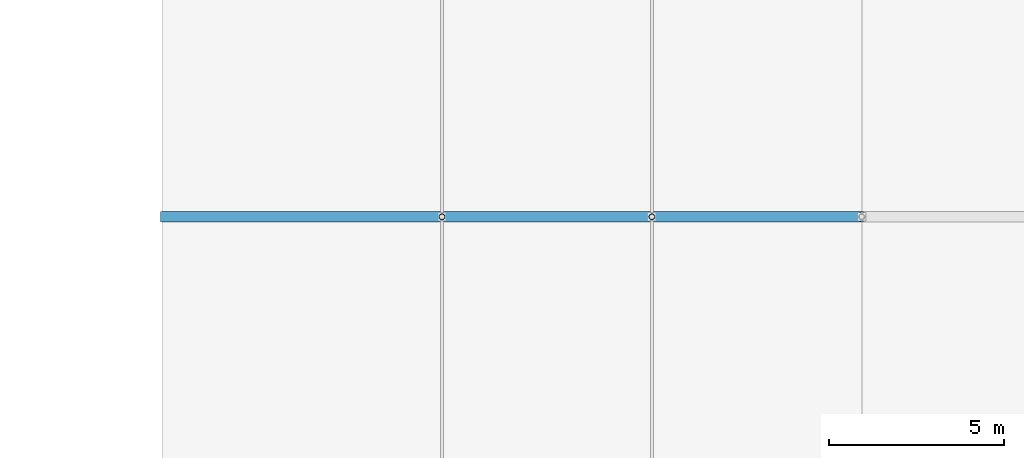
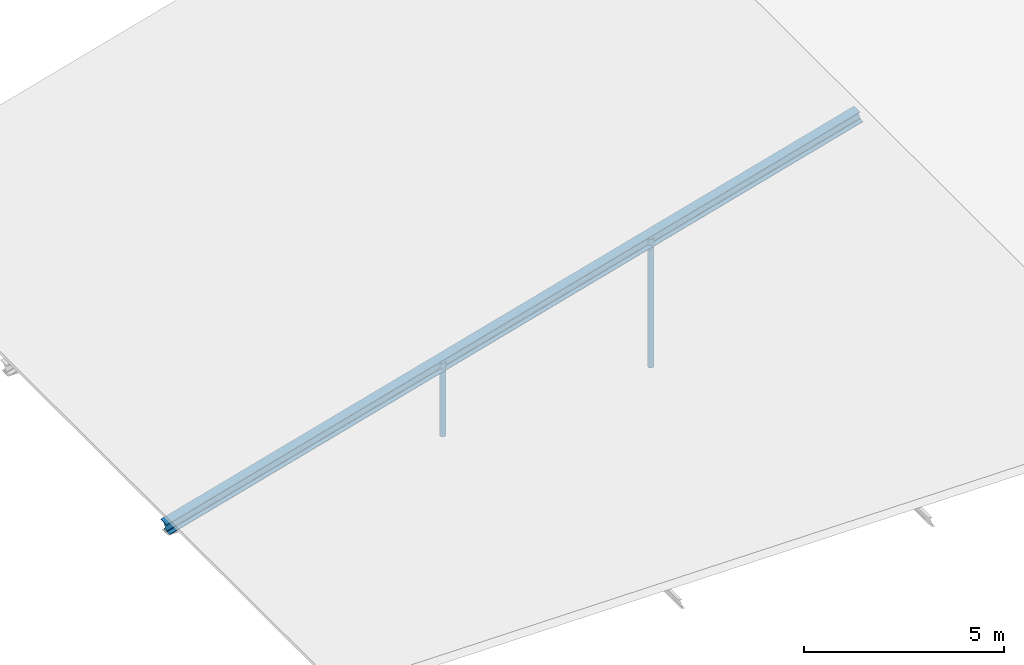
# One storey, part 18 of 49: 3 members.
"""IFC4 building model written with IfcOpenShell, lengths in metres."""

from ifc_helpers import new_model, si_unit, direction, frame, origin, origin_2d, place, context, subcontext, project, spatial, hollow_circle, i_section, extrude, material, material_profile, profile_set, type_object, element, save


model = new_model("IFC4")

# Units and contexts
model_context = context("Model", 3, precision=1e-05, world=origin(), true_north=direction((0.0, 1.0)))
body_context = subcontext(model_context, "Body", "Model", "MODEL_VIEW")
ifc_project = project(units=[si_unit("LENGTHUNIT", "METRE"), si_unit("AREAUNIT", "SQUARE_METRE"), si_unit("VOLUMEUNIT", "CUBIC_METRE"), si_unit("PLANEANGLEUNIT", "RADIAN"), si_unit("MASSUNIT", "GRAM", prefix="KILO")], contexts=[model_context])

# Site, building, storey
site_placement = place(None, origin())
site = spatial("IfcSite", under=ifc_project, at=site_placement, CompositionType="ELEMENT")
building_placement = place(site_placement, origin())
building = spatial("IfcBuilding", under=site, at=building_placement, Name="Sundkrona Museum", CompositionType="ELEMENT")
storey_placement = place(building_placement, frame((0.0, 0.0, 26.0)))
storey = spatial("IfcBuildingStorey", under=building, at=storey_placement, Name="L05", CompositionType="ELEMENT", Elevation=26.0)

# Members
ifc_material = material(Name="Steel S355J2", Category="steel")
ifc_material_profile_1 = material_profile(ifc_material, hollow_circle(Radius=0.084228515625, WallThickness=0.008056640625, at=origin_2d()), Name="CHS 168.3x8.0")
ifc_profile_set_1 = profile_set([ifc_material_profile_1], Name="Steel S355J2")
member_type_1 = type_object("IfcMemberType", Name="ST-CHS168", PredefinedType="STRUT", material=ifc_profile_set_1)
member_1_placement = place(storey_placement, frame((88.0, 24.0, -0.39990234375), z_axis=(0.0, 0.0, 1.0), x_axis=(1.0, 0.0, 0.0)))
element("IfcMember", 1, at=member_1_placement, inside=storey, type_object=member_type_1, Name="RFS-1 Atrium Truss 4 Web Strut 88", PredefinedType="STRUT", context=body_context, shape_type="SweptSolid", body=[
    extrude(hollow_circle(Radius=0.084228515625, WallThickness=0.008056640625, at=origin_2d()), origin(), (0.0, 0.0, 1.0), 2.237548828125),
])
member_2_placement = place(storey_placement, frame((94.0, 24.0, -0.39990234375), z_axis=(0.0, 0.0, 1.0), x_axis=(1.0, 0.0, 0.0)))
element("IfcMember", 2, at=member_2_placement, inside=storey, type_object=member_type_1, Name="RFS-1 Atrium Truss 4 Web Strut 94", PredefinedType="STRUT", context=body_context, shape_type="SweptSolid", body=[
    extrude(hollow_circle(Radius=0.084228515625, WallThickness=0.008056640625, at=origin_2d()), origin(), (0.0, 0.0, 1.0), 3.915771484375),
])
ifc_material_profile_2 = material_profile(ifc_material, i_section(OverallWidth=0.300048828125, OverallDepth=0.35009765625, WebThickness=0.010009765625, FlangeThickness=0.017578125, FilletRadius=0.027099609375, at=origin_2d()), Name="HEA 360")
ifc_profile_set_2 = profile_set([ifc_material_profile_2], Name="Steel S355J2")
member_type_2 = type_object("IfcMemberType", Name="TC-HEA360", PredefinedType="CHORD", material=ifc_profile_set_2)
member_3_placement = place(storey_placement, frame((80.0, 24.0, -0.39990234375), z_axis=(0.963039069801, 0.0, 0.269361745683), x_axis=(0.0, 1.0, 0.0)))
element("IfcMember", 3, at=member_3_placement, inside=storey, type_object=member_type_2, Name="RFS-1 Atrium Truss 4 West Rafter Chord", PredefinedType="CHORD", context=body_context, shape_type="SweptSolid", body=[
    extrude(i_section(OverallWidth=0.300048828125, OverallDepth=0.35009765625, WebThickness=0.010009765625, FlangeThickness=0.017578125, FilletRadius=0.027099609375, at=origin_2d()), origin(), (0.0, 0.0, 1.0), 20.767578125),
])

save(model, "model.ifc")
